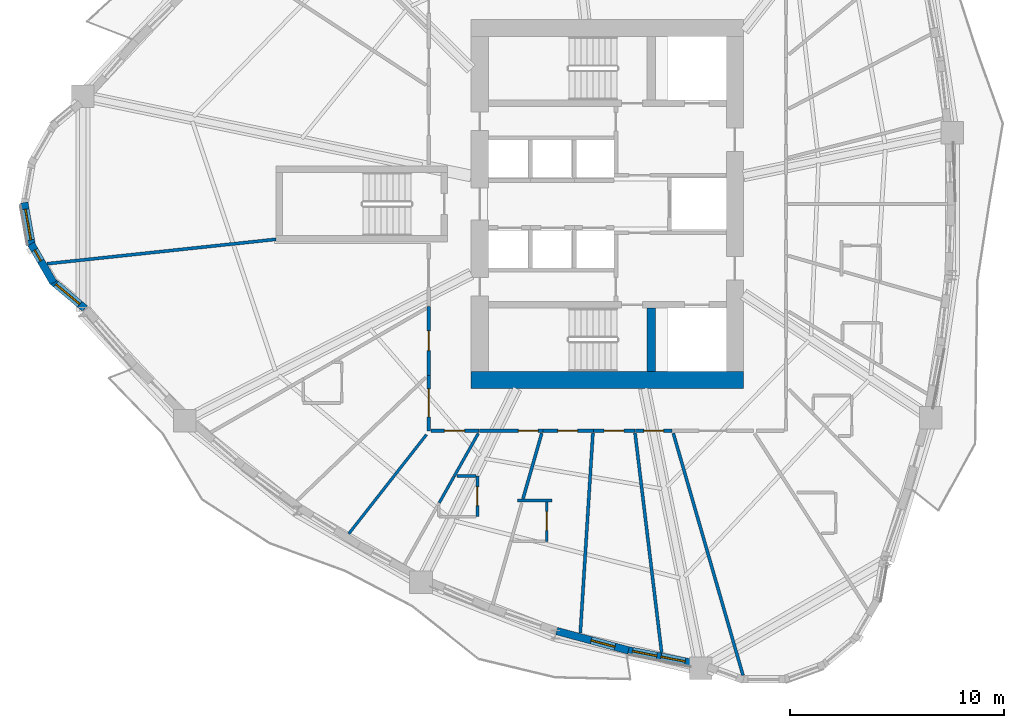
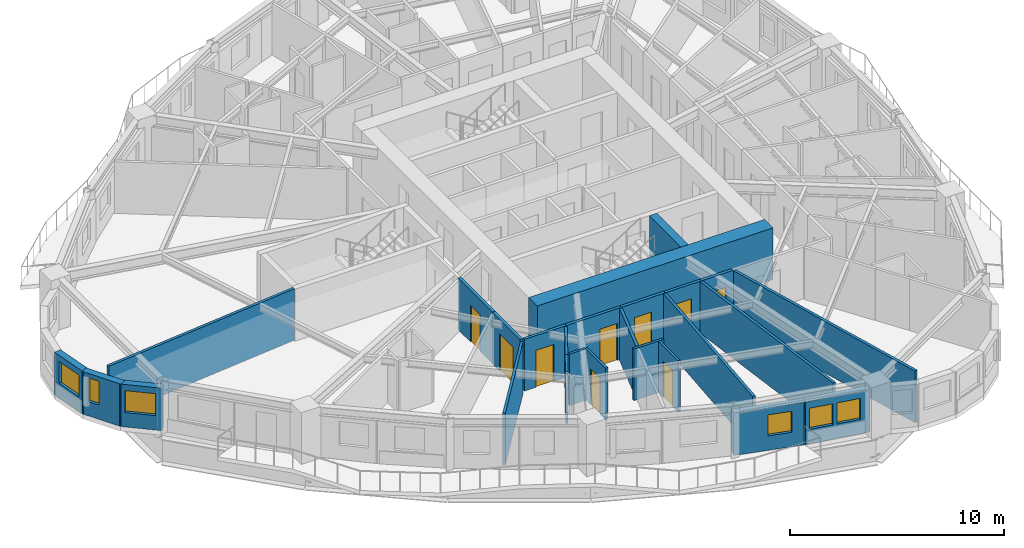
# One storey, part 4 of 14: 26 walls, 9 doors, 6 windows, 15 openings.
"""IFC4 building model written with IfcOpenShell, lengths in metres."""

from ifc_helpers import new_model, si_unit, direction, frame, frame_2d, origin, place, context, subcontext, project, spatial, rectangle, extrude, source, transform, mapped, material, layer, layer_set, type_object, element, fill, save


model = new_model("IFC4")

# Units and contexts
model_context = context("Model", 3, precision=1e-05, world=origin(), true_north=direction((0.0, 1.0)))
body_context = subcontext(model_context, "Body", "Model", "MODEL_VIEW")
ifc_project = project(units=[si_unit("LENGTHUNIT", "METRE"), si_unit("AREAUNIT", "SQUARE_METRE"), si_unit("VOLUMEUNIT", "CUBIC_METRE"), si_unit("PLANEANGLEUNIT", "RADIAN"), si_unit("MASSUNIT", "GRAM", prefix="KILO")], contexts=[model_context])

# Site, building, storey
site_placement = place(None, origin())
site = spatial("IfcSite", under=ifc_project, at=site_placement, CompositionType="ELEMENT")
building_placement = place(site_placement, origin())
building = spatial("IfcBuilding", under=site, at=building_placement, Name="Qafzar Sky-Pleat Residences", CompositionType="ELEMENT")
storey_placement = place(building_placement, frame((0.0, 0.0, 7.800048828125)))
storey = spatial("IfcBuildingStorey", under=building, at=storey_placement, Name="L01", CompositionType="ELEMENT", Elevation=7.800048828125)

# Wall, opening, door
ifc_material_1 = material(Name="Acoustic gypsum plasterboard partition", Category="gypsum")
ifc_layer_1 = layer(ifc_material_1, 0.159912109375)
ifc_layer_set_1 = layer_set([ifc_layer_1], Name="Acoustic gypsum plasterboard partition")
wall_type_1 = type_object("IfcWallType", Name="PART-COR-160", PredefinedType="PARTITIONING", material=ifc_layer_set_1)
wall_1_placement = place(storey_placement, frame((22.02001953125, 18.013916015625, 0.0), z_axis=(0.0, 0.0, 1.0), x_axis=(0.0, 1.0, 0.0)))
wall_1 = element("IfcWall", 1, at=wall_1_placement, inside=storey, type_object=wall_type_1, Name="L01 Partition Wall PART-L01-PW-005", PredefinedType="PARTITIONING", context=body_context, shape_type="SweptSolid", body=[
    extrude(rectangle(XDim=3.2041015625, YDim=0.159912109375, at=frame_2d((1.60205078125, 0.0))), origin(), (0.0, 0.0, 1.0), 2.93994140625),
])
opening_1_placement = place(wall_1_placement, frame((1.14404296875, 0.0, 0.0)))
opening_1 = element("IfcOpeningElement", 2, at=opening_1_placement, cuts=wall_1, Name="Opening ID-04", PredefinedType="OPENING", context=body_context, shape_type="SweptSolid", body=[
    extrude(rectangle(XDim=0.919921875, YDim=2.10009765625, at=frame_2d((0.4599609375, 1.050048828125))), frame((0.0, 0.08984375, 0.0), z_axis=(0.0, -1.0, 0.0), x_axis=(1.0, 0.0, 0.0)), (0.0, 0.0, 1.0), 0.179931640625),
])
ifc_material_2 = material(Name="Timber-faced fire door", Category="wood")
door_type_1 = type_object("IfcDoorType", Name="DR-BED-920", OperationType="NOTDEFINED", PredefinedType="DOOR", material=ifc_material_2)
shared_shape_1 = source(origin(), body_context, "Body", "SweptSolid", [
    extrude(rectangle(XDim=0.919921875, YDim=2.10009765625, at=frame_2d((0.4599609375, 1.050048828125))), frame((0.0, 0.02490234375, 0.0), z_axis=(0.0, -1.0, 0.0), x_axis=(1.0, 0.0, 0.0)), (0.0, 0.0, 1.0), 0.050048828125),
])
door_1_placement = place(opening_1_placement, origin())
door_1 = element("IfcDoor", 3, at=door_1_placement, inside=storey, type_object=door_type_1, Name="L01 Co-Living Bedroom 12 Door", OperationType="SINGLE_SWING_RIGHT", OverallHeight=2.10009765625, OverallWidth=0.919921875, PredefinedType="DOOR", context=body_context, shape_type="MappedRepresentation", body=[
    mapped(shared_shape_1, transform((0.0, 0.0, 0.0), x_axis=(1.0, 0.0, 0.0), y_axis=(0.0, 1.0, 0.0), z_axis=(0.0, 0.0, 1.0), scale=1.0)),
])
fill(opening_1, door_1)

wall_2_placement = place(storey_placement, frame((27.340087890625, 15.419921875, 0.0), z_axis=(0.0, 0.0, 1.0), x_axis=(-1.0, 0.0, 0.0)))
wall_2 = element("IfcWall", 4, at=wall_2_placement, inside=storey, type_object=wall_type_1, Name="L01 Partition Wall PART-L01-PW-009", PredefinedType="PARTITIONING", context=body_context, shape_type="SweptSolid", body=[
    extrude(rectangle(XDim=2.95703125, YDim=0.159912109375, at=frame_2d((1.478515625, 0.0))), origin(), (0.0, 0.0, 1.0), 2.93994140625),
])
opening_2_placement = place(wall_2_placement, frame((0.219970703125, 0.0, 0.0)))
opening_2 = element("IfcOpeningElement", 5, at=opening_2_placement, cuts=wall_2, Name="Opening ID-04", PredefinedType="OPENING", context=body_context, shape_type="SweptSolid", body=[
    extrude(rectangle(XDim=0.919921875, YDim=2.10009765625, at=frame_2d((0.4599609375, 1.050048828125))), frame((0.0, 0.08984375, 0.0), z_axis=(0.0, -1.0, 0.0), x_axis=(1.0, 0.0, 0.0)), (0.0, 0.0, 1.0), 0.179931640625),
])
door_2_placement = place(opening_2_placement, origin())
door_2 = element("IfcDoor", 6, at=door_2_placement, inside=storey, type_object=door_type_1, Name="L01 Co-Living Bedroom 13 Door", OperationType="SINGLE_SWING_LEFT", OverallHeight=2.10009765625, OverallWidth=0.919921875, PredefinedType="DOOR", context=body_context, shape_type="MappedRepresentation", body=[
    mapped(shared_shape_1, transform((0.0, 0.0, 0.0), x_axis=(1.0, 0.0, 0.0), y_axis=(0.0, 1.0, 0.0), z_axis=(0.0, 0.0, 1.0), scale=1.0)),
])
fill(opening_2, door_2)

wall_3_placement = place(storey_placement, frame((22.02001953125, 15.419921875, 0.0), z_axis=(0.0, 0.0, 1.0), x_axis=(0.0, 1.0, 0.0)))
wall_3 = element("IfcWall", 7, at=wall_3_placement, inside=storey, type_object=wall_type_1, Name="L01 Partition Wall PART-L01-PW-011", PredefinedType="PARTITIONING", context=body_context, shape_type="SweptSolid", body=[
    extrude(rectangle(XDim=2.5791015625, YDim=0.159912109375, at=frame_2d((1.28955078125, 0.0))), origin(), (0.0, 0.0, 1.0), 2.93994140625),
])
opening_3_placement = place(wall_3_placement, frame((0.657470703125, 0.0, 0.0)))
opening_3 = element("IfcOpeningElement", 8, at=opening_3_placement, cuts=wall_3, Name="Opening ID-05", PredefinedType="OPENING", context=body_context, shape_type="SweptSolid", body=[
    extrude(rectangle(XDim=1.300048828125, YDim=2.10009765625, at=frame_2d((0.64990234375, 1.050048828125))), frame((0.0, 0.08984375, 0.0), z_axis=(0.0, -1.0, 0.0), x_axis=(1.0, 0.0, 0.0)), (0.0, 0.0, 1.0), 0.179931640625),
])
door_type_2 = type_object("IfcDoorType", Name="DR-LNG-1300", OperationType="DOUBLE_DOOR_SINGLE_SWING", PredefinedType="DOOR", material=ifc_material_2)
shared_shape_2 = source(origin(), body_context, "Body", "SweptSolid", [
    extrude(rectangle(XDim=1.300048828125, YDim=2.10009765625, at=frame_2d((0.64990234375, 1.050048828125))), frame((0.0, 0.02490234375, 0.0), z_axis=(0.0, -1.0, 0.0), x_axis=(1.0, 0.0, 0.0)), (0.0, 0.0, 1.0), 0.050048828125),
])
door_3_placement = place(opening_3_placement, origin())
door_3 = element("IfcDoor", 9, at=door_3_placement, inside=storey, type_object=door_type_2, Name="L01 Scholar Study Room Door", OperationType="DOUBLE_DOOR_SINGLE_SWING", OverallHeight=2.10009765625, OverallWidth=1.300048828125, PredefinedType="DOOR", context=body_context, shape_type="MappedRepresentation", body=[
    mapped(shared_shape_2, transform((0.0, 0.0, 0.0), x_axis=(1.0, 0.0, 0.0), y_axis=(0.0, 1.0, 0.0), z_axis=(0.0, 0.0, 1.0), scale=1.0)),
])
fill(opening_3, door_3)

wall_4_placement = place(storey_placement, frame((29.698974609375, 15.419921875, 0.0), z_axis=(0.0, 0.0, 1.0), x_axis=(-1.0, 0.0, 0.0)))
wall_4 = element("IfcWall", 10, at=wall_4_placement, inside=storey, type_object=wall_type_1, Name="L01 Partition Wall PART-L01-PW-016", PredefinedType="PARTITIONING", context=body_context, shape_type="SweptSolid", body=[
    extrude(rectangle(XDim=2.343994140625, YDim=0.159912109375, at=frame_2d((1.171875, 0.0))), origin(), (0.0, 0.0, 1.0), 2.93994140625),
])
opening_4_placement = place(wall_4_placement, frame((0.735107421875, 0.0, 0.0)))
opening_4 = element("IfcOpeningElement", 11, at=opening_4_placement, cuts=wall_4, Name="Opening ID-04", PredefinedType="OPENING", context=body_context, shape_type="SweptSolid", body=[
    extrude(rectangle(XDim=0.919921875, YDim=2.10009765625, at=frame_2d((0.4599609375, 1.050048828125))), frame((0.0, 0.08984375, 0.0), z_axis=(0.0, -1.0, 0.0), x_axis=(1.0, 0.0, 0.0)), (0.0, 0.0, 1.0), 0.179931640625),
])
door_4_placement = place(opening_4_placement, origin())
door_4 = element("IfcDoor", 12, at=door_4_placement, inside=storey, type_object=door_type_1, Name="L01 Co-Living Bedroom 14 Door", OperationType="SINGLE_SWING_LEFT", OverallHeight=2.10009765625, OverallWidth=0.919921875, PredefinedType="DOOR", context=body_context, shape_type="MappedRepresentation", body=[
    mapped(shared_shape_1, transform((0.0, 0.0, 0.0), x_axis=(1.0, 0.0, 0.0), y_axis=(0.0, 1.0, 0.0), z_axis=(0.0, 0.0, 1.0), scale=1.0)),
])
fill(opening_4, door_4)

wall_5_placement = place(storey_placement, frame((24.367919921875, 15.419921875, 0.0), z_axis=(0.0, 0.0, 1.0), x_axis=(-1.0, 0.0, 0.0)))
wall_5 = element("IfcWall", 13, at=wall_5_placement, inside=storey, type_object=wall_type_1, Name="L01 Partition Wall PART-L01-PW-017", PredefinedType="PARTITIONING", context=body_context, shape_type="SweptSolid", body=[
    extrude(rectangle(XDim=2.243896484375, YDim=0.159912109375, at=frame_2d((1.1220703125, 0.0))), origin(), (0.0, 0.0, 1.0), 2.93994140625),
])
opening_5_placement = place(wall_5_placement, frame((0.66552734375, 0.0, 0.0)))
opening_5 = element("IfcOpeningElement", 14, at=opening_5_placement, cuts=wall_5, Name="Opening ID-08", PredefinedType="OPENING", context=body_context, shape_type="SweptSolid", body=[
    extrude(rectangle(XDim=0.949951171875, YDim=2.10009765625, at=frame_2d((0.47509765625, 1.050048828125))), frame((0.0, 0.08984375, 0.0), z_axis=(0.0, -1.0, 0.0), x_axis=(1.0, 0.0, 0.0)), (0.0, 0.0, 1.0), 0.179931640625),
])
door_type_3 = type_object("IfcDoorType", Name="DR-AWC-950", OperationType="NOTDEFINED", PredefinedType="DOOR", material=ifc_material_2)
shared_shape_3 = source(origin(), body_context, "Body", "SweptSolid", [
    extrude(rectangle(XDim=0.949951171875, YDim=2.10009765625, at=frame_2d((0.47509765625, 1.050048828125))), frame((0.0, 0.02490234375, 0.0), z_axis=(0.0, -1.0, 0.0), x_axis=(1.0, 0.0, 0.0)), (0.0, 0.0, 1.0), 0.050048828125),
])
door_5_placement = place(opening_5_placement, origin())
door_5 = element("IfcDoor", 15, at=door_5_placement, inside=storey, type_object=door_type_3, Name="L01 Accessible Shared Washroom Door", OperationType="SINGLE_SWING_RIGHT", OverallHeight=2.10009765625, OverallWidth=0.949951171875, PredefinedType="DOOR", context=body_context, shape_type="MappedRepresentation", body=[
    mapped(shared_shape_3, transform((0.0, 0.0, 0.0), x_axis=(1.0, 0.0, 0.0), y_axis=(0.0, 1.0, 0.0), z_axis=(0.0, 0.0, 1.0), scale=1.0)),
])
fill(opening_5, door_5)

wall_6_placement = place(storey_placement, frame((31.64599609375, 15.419921875, 0.0), z_axis=(0.0, 0.0, 1.0), x_axis=(-1.0, 0.0, 0.0)))
wall_6 = element("IfcWall", 16, at=wall_6_placement, inside=storey, type_object=wall_type_1, Name="L01 Partition Wall PART-L01-PW-023", PredefinedType="PARTITIONING", context=body_context, shape_type="SweptSolid", body=[
    extrude(rectangle(XDim=1.931884765625, YDim=0.159912109375, at=frame_2d((0.9658203125, 0.0))), origin(), (0.0, 0.0, 1.0), 2.93994140625),
])
opening_6_placement = place(wall_6_placement, frame((0.528564453125, 0.0, 0.0)))
opening_6 = element("IfcOpeningElement", 17, at=opening_6_placement, cuts=wall_6, Name="Opening ID-04", PredefinedType="OPENING", context=body_context, shape_type="SweptSolid", body=[
    extrude(rectangle(XDim=0.919921875, YDim=2.10009765625, at=frame_2d((0.4599609375, 1.050048828125))), frame((0.0, 0.08984375, 0.0), z_axis=(0.0, -1.0, 0.0), x_axis=(1.0, 0.0, 0.0)), (0.0, 0.0, 1.0), 0.179931640625),
])
door_6_placement = place(opening_6_placement, origin())
door_6 = element("IfcDoor", 18, at=door_6_placement, inside=storey, type_object=door_type_1, Name="L01 Co-Living Bedroom 15 Door", OperationType="SINGLE_SWING_LEFT", OverallHeight=2.10009765625, OverallWidth=0.919921875, PredefinedType="DOOR", context=body_context, shape_type="MappedRepresentation", body=[
    mapped(shared_shape_1, transform((0.0, 0.0, 0.0), x_axis=(1.0, 0.0, 0.0), y_axis=(0.0, 1.0, 0.0), z_axis=(0.0, 0.0, 1.0), scale=1.0)),
])
fill(opening_6, door_6)

wall_7_placement = place(storey_placement, frame((33.364990234375, 15.419921875, 0.0), z_axis=(0.0, 0.0, 1.0), x_axis=(-1.0, 0.0, 0.0)))
wall_7 = element("IfcWall", 19, at=wall_7_placement, inside=storey, type_object=wall_type_1, Name="L01 Partition Wall PART-L01-PW-037", PredefinedType="PARTITIONING", context=body_context, shape_type="SweptSolid", body=[
    extrude(rectangle(XDim=1.7041015625, YDim=0.159912109375, at=frame_2d((0.85205078125, 0.0))), origin(), (0.0, 0.0, 1.0), 2.93994140625),
])
opening_7_placement = place(wall_7_placement, frame((0.39208984375, 0.0, 0.0)))
opening_7 = element("IfcOpeningElement", 20, at=opening_7_placement, cuts=wall_7, Name="Opening ID-04", PredefinedType="OPENING", context=body_context, shape_type="SweptSolid", body=[
    extrude(rectangle(XDim=0.919921875, YDim=2.10009765625, at=frame_2d((0.4599609375, 1.050048828125))), frame((0.0, 0.08984375, 0.0), z_axis=(0.0, -1.0, 0.0), x_axis=(1.0, 0.0, 0.0)), (0.0, 0.0, 1.0), 0.179931640625),
])
door_7_placement = place(opening_7_placement, origin())
door_7 = element("IfcDoor", 21, at=door_7_placement, inside=storey, type_object=door_type_1, Name="L01 Co-Living Bedroom 16 Door", OperationType="SINGLE_SWING_LEFT", OverallHeight=2.10009765625, OverallWidth=0.919921875, PredefinedType="DOOR", context=body_context, shape_type="MappedRepresentation", body=[
    mapped(shared_shape_1, transform((0.0, 0.0, 0.0), x_axis=(1.0, 0.0, 0.0), y_axis=(0.0, 1.0, 0.0), z_axis=(0.0, 0.0, 1.0), scale=1.0)),
])
fill(opening_7, door_7)

# Walls
ifc_layer_2 = layer(ifc_material_1, 0.14501953125)
ifc_layer_set_2 = layer_set([ifc_layer_2], Name="Acoustic gypsum plasterboard partition")
wall_type_2 = type_object("IfcWallType", Name="PART-UNIT-145", PredefinedType="PARTITIONING", material=ifc_layer_set_2)
wall_8_placement = place(storey_placement, frame((33.426025390625, 15.312255859375, 0.0), z_axis=(0.0, 0.0, 1.0), x_axis=(0.276606114731, -0.960983380342, 0.0)))
element("IfcWall", 22, at=wall_8_placement, inside=storey, type_object=wall_type_2, Name="L01 Partition Wall PART-L01-PW-039", PredefinedType="PARTITIONING", context=body_context, shape_type="SweptSolid", body=[
    extrude(rectangle(XDim=11.748779296875, YDim=0.14501953125, at=frame_2d((5.87451171875, 0.0))), origin(), (0.0, 0.0, 1.0), 2.93994140625),
])
wall_9_placement = place(storey_placement, frame((4.230712890625, 23.21240234375, 0.0), z_axis=(0.0, 0.0, 1.0), x_axis=(0.994353055544, 0.106122575023, 0.0)))
element("IfcWall", 23, at=wall_9_placement, inside=storey, type_object=wall_type_2, Name="L01 Partition Wall PART-L01-PW-042", PredefinedType="PARTITIONING", context=body_context, shape_type="SweptSolid", body=[
    extrude(rectangle(XDim=10.729736328125, YDim=0.14501953125, at=frame_2d((5.36474609375, 0.0))), origin(), (0.0, 0.0, 1.0), 2.93994140625),
])
wall_10_placement = place(storey_placement, frame((31.642578125, 15.3232421875, 0.0), z_axis=(0.0, 0.0, 1.0), x_axis=(0.120185874717, -0.992751406707, 0.0)))
element("IfcWall", 24, at=wall_10_placement, inside=storey, type_object=wall_type_2, Name="L01 Partition Wall PART-L01-PW-043", PredefinedType="PARTITIONING", context=body_context, shape_type="SweptSolid", body=[
    extrude(rectangle(XDim=10.323486328125, YDim=0.14501953125, at=frame_2d((5.16162109375, 0.0))), origin(), (0.0, 0.0, 1.0), 2.93994140625),
])
wall_11_placement = place(storey_placement, frame((29.091064453125, 5.995849609375, 0.0), z_axis=(0.0, 0.0, 1.0), x_axis=(0.062797687125, 0.998026277456, 0.0)))
element("IfcWall", 25, at=wall_11_placement, inside=storey, type_object=wall_type_2, Name="L01 Partition Wall PART-L01-PW-045", PredefinedType="PARTITIONING", context=body_context, shape_type="SweptSolid", body=[
    extrude(rectangle(XDim=9.35009765625, YDim=0.14501953125, at=frame_2d((4.675048828125, 0.0))), origin(), (0.0, 0.0, 1.0), 2.93994140625),
])
wall_12_placement = place(storey_placement, frame((26.41650390625, 12.24755859375, 0.0), z_axis=(0.0, 0.0, 1.0), x_axis=(0.275014447674, 0.961440093594, 0.0)))
element("IfcWall", 26, at=wall_12_placement, inside=storey, type_object=wall_type_2, Name="L01 Partition Wall PART-L01-PW-064", PredefinedType="PARTITIONING", context=body_context, shape_type="SweptSolid", body=[
    extrude(rectangle(XDim=3.187744140625, YDim=0.14501953125, at=frame_2d((1.59375, 0.0))), origin(), (0.0, 0.0, 1.0), 2.93994140625),
])

# Wall, opening, door
ifc_material_3 = material(Name="Moisture-resistant gypsum partition", Category="gypsum")
ifc_layer_3 = layer(ifc_material_3, 0.1298828125)
ifc_layer_set_3 = layer_set([ifc_layer_3], Name="Moisture-resistant gypsum partition")
wall_type_3 = type_object("IfcWallType", Name="PART-WET-130", PredefinedType="PARTITIONING", material=ifc_layer_set_3)
wall_13_placement = place(storey_placement, frame((24.29296875, 11.4208984375, 0.0), z_axis=(0.0, 0.0, 1.0), x_axis=(0.0, 1.0, 0.0)))
wall_13 = element("IfcWall", 27, at=wall_13_placement, inside=storey, type_object=wall_type_3, Name="L01 Partition Wall PART-L01-PW-025", PredefinedType="PARTITIONING", context=body_context, shape_type="SweptSolid", body=[
    extrude(rectangle(XDim=1.900146484375, YDim=0.1298828125, at=frame_2d((0.9501953125, 0.0))), origin(), (0.0, 0.0, 1.0), 2.93994140625),
])
opening_8_placement = place(wall_13_placement, frame((0.510009765625, 0.0, 0.0)))
opening_8 = element("IfcOpeningElement", 28, at=opening_8_placement, cuts=wall_13, Name="Opening ID-07", PredefinedType="OPENING", context=body_context, shape_type="SweptSolid", body=[
    extrude(rectangle(XDim=0.8798828125, YDim=2.050048828125, at=frame_2d((0.43994140625, 1.02490234375))), frame((0.0, 0.074951171875, 0.0), z_axis=(0.0, -1.0, 0.0), x_axis=(1.0, 0.0, 0.0)), (0.0, 0.0, 1.0), 0.14990234375),
])
door_type_4 = type_object("IfcDoorType", Name="DR-WET-880", OperationType="NOTDEFINED", PredefinedType="DOOR", material=ifc_material_2)
shared_shape_4 = source(origin(), body_context, "Body", "SweptSolid", [
    extrude(rectangle(XDim=0.8798828125, YDim=2.050048828125, at=frame_2d((0.43994140625, 1.02490234375))), frame((0.0, 0.02490234375, 0.0), z_axis=(0.0, -1.0, 0.0), x_axis=(1.0, 0.0, 0.0)), (0.0, 0.0, 1.0), 0.050048828125),
])
door_8_placement = place(opening_8_placement, origin())
door_8 = element("IfcDoor", 29, at=door_8_placement, inside=storey, type_object=door_type_4, Name="L01 En-suite Bathroom 13 Door", OperationType="SINGLE_SWING_LEFT", OverallHeight=2.050048828125, OverallWidth=0.8798828125, PredefinedType="DOOR", context=body_context, shape_type="MappedRepresentation", body=[
    mapped(shared_shape_4, transform((0.0, 0.0, 0.0), x_axis=(1.0, 0.0, 0.0), y_axis=(0.0, 1.0, 0.0), z_axis=(0.0, 0.0, 1.0), scale=1.0)),
])
fill(opening_8, door_8)

wall_14_placement = place(storey_placement, frame((27.52392578125, 10.27001953125, 0.0), z_axis=(0.0, 0.0, 1.0), x_axis=(0.0, 1.0, 0.0)))
wall_14 = element("IfcWall", 30, at=wall_14_placement, inside=storey, type_object=wall_type_3, Name="L01 Partition Wall PART-L01-PW-026", PredefinedType="PARTITIONING", context=body_context, shape_type="SweptSolid", body=[
    extrude(rectangle(XDim=1.826904296875, YDim=0.1298828125, at=frame_2d((0.91357421875, 0.0))), origin(), (0.0, 0.0, 1.0), 2.93994140625),
])
opening_9_placement = place(wall_14_placement, frame((0.510009765625, 0.0, 0.0)))
opening_9 = element("IfcOpeningElement", 31, at=opening_9_placement, cuts=wall_14, Name="Opening ID-07", PredefinedType="OPENING", context=body_context, shape_type="SweptSolid", body=[
    extrude(rectangle(XDim=0.8798828125, YDim=2.050048828125, at=frame_2d((0.43994140625, 1.02490234375))), frame((0.0, 0.074951171875, 0.0), z_axis=(0.0, -1.0, 0.0), x_axis=(1.0, 0.0, 0.0)), (0.0, 0.0, 1.0), 0.14990234375),
])
door_9_placement = place(opening_9_placement, origin())
door_9 = element("IfcDoor", 32, at=door_9_placement, inside=storey, type_object=door_type_4, Name="L01 En-suite Bathroom 14 Door", OperationType="SINGLE_SWING_RIGHT", OverallHeight=2.050048828125, OverallWidth=0.8798828125, PredefinedType="DOOR", context=body_context, shape_type="MappedRepresentation", body=[
    mapped(shared_shape_4, transform((0.0, 0.0, 0.0), x_axis=(1.0, 0.0, 0.0), y_axis=(0.0, 1.0, 0.0), z_axis=(0.0, 0.0, 1.0), scale=1.0)),
])
fill(opening_9, door_9)

# Walls
wall_15_placement = place(storey_placement, frame((18.29638671875, 10.624755859375, 0.0), z_axis=(0.0, 0.0, 1.0), x_axis=(0.616906721473, 0.787036274261, 0.0)))
element("IfcWall", 33, at=wall_15_placement, inside=storey, type_object=wall_type_3, Name="L01 Partition Wall PART-L01-PW-054", PredefinedType="PARTITIONING", context=body_context, shape_type="SweptSolid", body=[
    extrude(rectangle(XDim=5.8720703125, YDim=0.1298828125, at=frame_2d((2.93603515625, 0.0))), origin(), (0.0, 0.0, 1.0), 2.93994140625),
])
wall_16_placement = place(storey_placement, frame((23.2109375, 13.305908203125, 0.0), z_axis=(0.0, 0.0, 1.0), x_axis=(0.490235923681, 0.871589776864, 0.0)))
element("IfcWall", 34, at=wall_16_placement, inside=storey, type_object=wall_type_3, Name="L01 Partition Wall PART-L01-PW-074", PredefinedType="PARTITIONING", context=body_context, shape_type="SweptSolid", body=[
    extrude(rectangle(XDim=2.289306640625, YDim=0.1298828125, at=frame_2d((1.14453125, 0.0))), origin(), (0.0, 0.0, 1.0), 2.93994140625),
])
wall_17_placement = place(storey_placement, frame((22.51513671875, 12.069091796875, 0.0), z_axis=(0.0, 0.0, 1.0), x_axis=(0.490286002917, 0.871561607314, 0.0)))
element("IfcWall", 35, at=wall_17_placement, inside=storey, type_object=wall_type_3, Name="L01 Partition Wall PART-L01-PW-100", PredefinedType="PARTITIONING", context=body_context, shape_type="SweptSolid", body=[
    extrude(rectangle(XDim=1.404296875, YDim=0.1298828125, at=frame_2d((0.7021484375, 0.0))), origin(), (0.0, 0.0, 1.0), 2.93994140625),
])
wall_18_placement = place(storey_placement, frame((26.155029296875, 12.169921875, 0.0), z_axis=(0.0, 0.0, 1.0), x_axis=(1.0, 0.0, 0.0)))
element("IfcWall", 36, at=wall_18_placement, inside=storey, type_object=wall_type_3, Name="L01 Partition Wall PART-L01-PW-105", PredefinedType="PARTITIONING", context=body_context, shape_type="SweptSolid", body=[
    extrude(rectangle(XDim=1.60888671875, YDim=0.1298828125, at=frame_2d((0.804443359375, 0.0))), origin(), (0.0, 0.0, 1.0), 2.93994140625),
])
wall_19_placement = place(storey_placement, frame((23.338134765625, 13.321044921875, 0.0), z_axis=(0.0, 0.0, 1.0), x_axis=(1.0, 0.0, 0.0)))
element("IfcWall", 37, at=wall_19_placement, inside=storey, type_object=wall_type_3, Name="L01 Partition Wall PART-L01-PW-107", PredefinedType="PARTITIONING", context=body_context, shape_type="SweptSolid", body=[
    extrude(rectangle(XDim=0.8818359375, YDim=0.1298828125, at=frame_2d((0.44091796875, 0.0))), origin(), (0.0, 0.0, 1.0), 2.93994140625),
])

# Wall, opening, window
ifc_material_4 = material(Name="Precast concrete C40/50 with honed Riyadh limestone", Category="concrete")
ifc_layer_4 = layer(ifc_material_4, 0.35009765625)
ifc_layer_set_4 = layer_set([ifc_layer_4], Name="Precast concrete C40/50 with honed Riyadh limestone")
wall_type_4 = type_object("IfcWallType", Name="WALL-EXT-350", PredefinedType="SOLIDWALL", material=ifc_layer_set_4)
wall_20_placement = place(storey_placement, frame((3.165771484375, 26.06787109375, 0.0), z_axis=(0.0, 0.0, 1.0), x_axis=(0.173672066494, -0.984803540469, 0.0)))
wall_20 = element("IfcWall", 38, at=wall_20_placement, inside=storey, type_object=wall_type_4, Name="L01 Limestone Facade Wall 4", PredefinedType="SOLIDWALL", context=body_context, shape_type="SweptSolid", body=[
    extrude(rectangle(XDim=2.09033203125, YDim=0.35009765625, at=frame_2d((1.045166015625, 0.0))), origin(), (0.0, 0.0, 1.0), 2.419921875),
])
opening_10_placement = place(wall_20_placement, frame((0.3203125, 0.0, 0.820068359375)))
opening_10 = element("IfcOpeningElement", 39, at=opening_10_placement, cuts=wall_20, Name="Opening WN-15", PredefinedType="OPENING", context=body_context, shape_type="SweptSolid", body=[
    extrude(rectangle(XDim=1.449951171875, YDim=1.25, at=frame_2d((0.72509765625, 0.625))), frame((0.0, 0.18505859375, 0.0), z_axis=(0.0, -1.0, 0.0), x_axis=(1.0, 0.0, 0.0)), (0.0, 0.0, 1.0), 0.3701171875),
])
ifc_material_5 = material(Name="Solar-control low-E glass in bronze aluminium frame", Category="glass")
window_type_1 = type_object("IfcWindowType", Name="WIN-15", PartitioningType="SINGLE_PANEL", PredefinedType="WINDOW", material=ifc_material_5)
shared_shape_5 = source(origin(), body_context, "Body", "SweptSolid", [
    extrude(rectangle(XDim=1.449951171875, YDim=1.25, at=frame_2d((0.72509765625, 0.625))), frame((0.0, 0.030029296875, 0.0), z_axis=(0.0, -1.0, 0.0), x_axis=(1.0, 0.0, 0.0)), (0.0, 0.0, 1.0), 0.06005859375),
])
window_1_placement = place(opening_10_placement, origin())
window_1 = element("IfcWindow", 40, at=window_1_placement, inside=storey, type_object=window_type_1, Name="L01 Punched Facade Window 04", OverallHeight=1.25, OverallWidth=1.449951171875, PartitioningType="SINGLE_PANEL", PredefinedType="WINDOW", context=body_context, shape_type="MappedRepresentation", body=[
    mapped(shared_shape_5, transform((0.0, 0.0, 0.0), x_axis=(1.0, 0.0, 0.0), y_axis=(0.0, 1.0, 0.0), z_axis=(0.0, 0.0, 1.0), scale=1.0)),
])
fill(opening_10, window_1)

wall_21_placement = place(storey_placement, frame((3.482421875, 24.13671875, 0.0), z_axis=(0.0, 0.0, 1.0), x_axis=(0.499995423472, -0.866028046028, 0.0)))
wall_21 = element("IfcWall", 41, at=wall_21_placement, inside=storey, type_object=wall_type_4, Name="L01 Limestone Facade Wall 5", PredefinedType="SOLIDWALL", context=body_context, shape_type="SweptSolid", body=[
    extrude(rectangle(XDim=2.09033203125, YDim=0.35009765625, at=frame_2d((1.045166015625, 0.0))), origin(), (0.0, 0.0, 1.0), 2.419921875),
])
opening_11_placement = place(wall_21_placement, frame((0.332763671875, 0.0, 0.820068359375)))
opening_11 = element("IfcOpeningElement", 42, at=opening_11_placement, cuts=wall_21, Name="Opening WN-17", PredefinedType="OPENING", context=body_context, shape_type="SweptSolid", body=[
    extrude(rectangle(XDim=0.580078125, YDim=1.35009765625, at=frame_2d((0.2900390625, 0.675048828125))), frame((0.0, 0.18505859375, 0.0), z_axis=(0.0, -1.0, 0.0), x_axis=(1.0, 0.0, 0.0)), (0.0, 0.0, 1.0), 0.3701171875),
])
window_type_2 = type_object("IfcWindowType", Name="WIN-17", PartitioningType="SINGLE_PANEL", PredefinedType="WINDOW", material=ifc_material_5)
shared_shape_6 = source(origin(), body_context, "Body", "SweptSolid", [
    extrude(rectangle(XDim=0.580078125, YDim=1.35009765625, at=frame_2d((0.2900390625, 0.675048828125))), frame((0.0, 0.030029296875, 0.0), z_axis=(0.0, -1.0, 0.0), x_axis=(1.0, 0.0, 0.0)), (0.0, 0.0, 1.0), 0.06005859375),
])
window_2_placement = place(opening_11_placement, origin())
window_2 = element("IfcWindow", 43, at=window_2_placement, inside=storey, type_object=window_type_2, Name="L01 Punched Facade Window 05", OverallHeight=1.35009765625, OverallWidth=0.580078125, PartitioningType="SINGLE_PANEL", PredefinedType="WINDOW", context=body_context, shape_type="MappedRepresentation", body=[
    mapped(shared_shape_6, transform((0.0, 0.0, 0.0), x_axis=(1.0, 0.0, 0.0), y_axis=(0.0, 1.0, 0.0), z_axis=(0.0, 0.0, 1.0), scale=1.0)),
])
fill(opening_11, window_2)

wall_22_placement = place(storey_placement, frame((4.440185546875, 22.430419921875, 0.0), z_axis=(0.0, 0.0, 1.0), x_axis=(0.766090423188, -0.642732808793, 0.0)))
wall_22 = element("IfcWall", 44, at=wall_22_placement, inside=storey, type_object=wall_type_4, Name="L01 Limestone Facade Wall 6", PredefinedType="SOLIDWALL", context=body_context, shape_type="SweptSolid", body=[
    extrude(rectangle(XDim=2.032470703125, YDim=0.35009765625, at=frame_2d((1.01611328125, 0.0))), origin(), (0.0, 0.0, 1.0), 2.419921875),
])
opening_12_placement = place(wall_22_placement, frame((0.26123046875, 0.0, 0.820068359375)))
opening_12 = element("IfcOpeningElement", 45, at=opening_12_placement, cuts=wall_22, Name="Opening WN-15", PredefinedType="OPENING", context=body_context, shape_type="SweptSolid", body=[
    extrude(rectangle(XDim=1.449951171875, YDim=1.25, at=frame_2d((0.72509765625, 0.625))), frame((0.0, 0.18505859375, 0.0), z_axis=(0.0, -1.0, 0.0), x_axis=(1.0, 0.0, 0.0)), (0.0, 0.0, 1.0), 0.3701171875),
])
window_3_placement = place(opening_12_placement, origin())
window_3 = element("IfcWindow", 46, at=window_3_placement, inside=storey, type_object=window_type_1, Name="L01 Punched Facade Window 06", OverallHeight=1.25, OverallWidth=1.449951171875, PartitioningType="SINGLE_PANEL", PredefinedType="WINDOW", context=body_context, shape_type="MappedRepresentation", body=[
    mapped(shared_shape_5, transform((0.0, 0.0, 0.0), x_axis=(1.0, 0.0, 0.0), y_axis=(0.0, 1.0, 0.0), z_axis=(0.0, 0.0, 1.0), scale=1.0)),
])
fill(opening_12, window_3)

wall_23_placement = place(storey_placement, frame((27.993896484375, 6.087646484375, 0.0), z_axis=(0.0, 0.0, 1.0), x_axis=(0.965452701472, -0.260578359079, 0.0)))
wall_23 = element("IfcWall", 47, at=wall_23_placement, inside=storey, type_object=wall_type_4, Name="L01 Limestone Facade Wall 15", PredefinedType="SOLIDWALL", context=body_context, shape_type="SweptSolid", body=[
    extrude(rectangle(XDim=3.458984375, YDim=0.35009765625, at=frame_2d((1.7294921875, 0.0))), origin(), (0.0, 0.0, 1.0), 2.419921875),
])
opening_13_placement = place(wall_23_placement, frame((1.65966796875, 0.0, 0.820068359375)))
opening_13 = element("IfcOpeningElement", 48, at=opening_13_placement, cuts=wall_23, Name="Opening WN-16", PredefinedType="OPENING", context=body_context, shape_type="SweptSolid", body=[
    extrude(rectangle(XDim=1.14990234375, YDim=1.199951171875, at=frame_2d((0.574951171875, 0.60009765625))), frame((0.0, 0.18505859375, 0.0), z_axis=(0.0, -1.0, 0.0), x_axis=(1.0, 0.0, 0.0)), (0.0, 0.0, 1.0), 0.3701171875),
])
window_type_3 = type_object("IfcWindowType", Name="WIN-16", PartitioningType="SINGLE_PANEL", PredefinedType="WINDOW", material=ifc_material_5)
shared_shape_7 = source(origin(), body_context, "Body", "SweptSolid", [
    extrude(rectangle(XDim=1.14990234375, YDim=1.199951171875, at=frame_2d((0.574951171875, 0.60009765625))), frame((0.0, 0.030029296875, 0.0), z_axis=(0.0, -1.0, 0.0), x_axis=(1.0, 0.0, 0.0)), (0.0, 0.0, 1.0), 0.06005859375),
])
window_4_placement = place(opening_13_placement, origin())
window_4 = element("IfcWindow", 49, at=window_4_placement, inside=storey, type_object=window_type_3, Name="L01 Punched Facade Window 15-2", OverallHeight=1.199951171875, OverallWidth=1.14990234375, PartitioningType="SINGLE_PANEL", PredefinedType="WINDOW", context=body_context, shape_type="MappedRepresentation", body=[
    mapped(shared_shape_7, transform((0.0, 0.0, 0.0), x_axis=(1.0, 0.0, 0.0), y_axis=(0.0, 1.0, 0.0), z_axis=(0.0, 0.0, 1.0), scale=1.0)),
])
fill(opening_13, window_4)

# Wall, openings, windows
wall_24_placement = place(storey_placement, frame((31.247802734375, 5.206298828125, 0.0), z_axis=(0.0, 0.0, 1.0), x_axis=(0.981233354077, -0.192824025597, 0.0)))
wall_24 = element("IfcWall", 50, at=wall_24_placement, inside=storey, type_object=wall_type_4, Name="L01 Limestone Facade Wall 16", PredefinedType="SOLIDWALL", context=body_context, shape_type="SweptSolid", body=[
    extrude(rectangle(XDim=3.252685546875, YDim=0.35009765625, at=frame_2d((1.62646484375, 0.0))), origin(), (0.0, 0.0, 1.0), 2.419921875),
])
opening_14_placement = place(wall_24_placement, frame((0.28369140625, 0.0, 0.820068359375)))
opening_14 = element("IfcOpeningElement", 51, at=opening_14_placement, cuts=wall_24, Name="Opening WN-16", PredefinedType="OPENING", context=body_context, shape_type="SweptSolid", body=[
    extrude(rectangle(XDim=1.14990234375, YDim=1.199951171875, at=frame_2d((0.574951171875, 0.60009765625))), frame((0.0, 0.18505859375, 0.0), z_axis=(0.0, -1.0, 0.0), x_axis=(1.0, 0.0, 0.0)), (0.0, 0.0, 1.0), 0.3701171875),
])
opening_15_placement = place(wall_24_placement, frame((1.635009765625, 0.0, 0.820068359375)))
opening_15 = element("IfcOpeningElement", 52, at=opening_15_placement, cuts=wall_24, Name="Opening WN-16", PredefinedType="OPENING", context=body_context, shape_type="SweptSolid", body=[
    extrude(rectangle(XDim=1.14990234375, YDim=1.199951171875, at=frame_2d((0.574951171875, 0.60009765625))), frame((0.0, 0.18505859375, 0.0), z_axis=(0.0, -1.0, 0.0), x_axis=(1.0, 0.0, 0.0)), (0.0, 0.0, 1.0), 0.3701171875),
])
window_5_placement = place(opening_14_placement, origin())
window_5 = element("IfcWindow", 53, at=window_5_placement, inside=storey, type_object=window_type_3, Name="L01 Punched Facade Window 16", OverallHeight=1.199951171875, OverallWidth=1.14990234375, PartitioningType="SINGLE_PANEL", PredefinedType="WINDOW", context=body_context, shape_type="MappedRepresentation", body=[
    mapped(shared_shape_7, transform((0.0, 0.0, 0.0), x_axis=(1.0, 0.0, 0.0), y_axis=(0.0, 1.0, 0.0), z_axis=(0.0, 0.0, 1.0), scale=1.0)),
])
fill(opening_14, window_5)
window_6_placement = place(opening_15_placement, origin())
window_6 = element("IfcWindow", 54, at=window_6_placement, inside=storey, type_object=window_type_3, Name="L01 Punched Facade Window 16-2", OverallHeight=1.199951171875, OverallWidth=1.14990234375, PartitioningType="SINGLE_PANEL", PredefinedType="WINDOW", context=body_context, shape_type="MappedRepresentation", body=[
    mapped(shared_shape_7, transform((0.0, 0.0, 0.0), x_axis=(1.0, 0.0, 0.0), y_axis=(0.0, 1.0, 0.0), z_axis=(0.0, 0.0, 1.0), scale=1.0)),
])
fill(opening_15, window_6)

# Walls
ifc_material_6 = material(Name="Concrete C60/75", Category="concrete")
ifc_layer_5 = layer(ifc_material_6, 0.39990234375)
ifc_layer_set_5 = layer_set([ifc_layer_5], Name="Concrete C60/75")
wall_type_5 = type_object("IfcWallType", Name="WALL-SHEAR-400", PredefinedType="SHEAR", material=ifc_layer_set_5)
wall_25_placement = place(storey_placement, frame((32.39990234375, 18.199951171875, 0.0), z_axis=(0.0, 0.0, 1.0), x_axis=(0.0, 1.0, 0.0)))
element("IfcWall", 55, at=wall_25_placement, inside=storey, type_object=wall_type_5, Name="L01 Stair ST1 East Dividing Wall", PredefinedType="SHEAR", context=body_context, shape_type="SweptSolid", body=[
    extrude(rectangle(XDim=2.949951171875, YDim=0.39990234375, at=frame_2d((1.47509765625, 0.0))), origin(), (0.0, 0.0, 1.0), 2.93994140625),
])
ifc_layer_6 = layer(ifc_material_6, 0.800048828125)
ifc_layer_set_6 = layer_set([ifc_layer_6], Name="Concrete C60/75")
wall_type_6 = type_object("IfcWallType", Name="WALL-SHEAR-800", PredefinedType="SHEAR", material=ifc_layer_set_6)
wall_26_placement = place(storey_placement, frame((24.0, 17.800048828125, 0.0), z_axis=(0.0, 0.0, 1.0), x_axis=(1.0, 0.0, 0.0)))
element("IfcWall", 56, at=wall_26_placement, inside=storey, type_object=wall_type_6, Name="L01 CORE wall S", PredefinedType="SHEAR", context=body_context, shape_type="SweptSolid", body=[
    extrude(rectangle(XDim=12.699951171875, YDim=0.800048828125, at=frame_2d((6.35009765625, 0.0))), origin(), (0.0, 0.0, 1.0), 2.93994140625),
])

save(model, "model.ifc")
